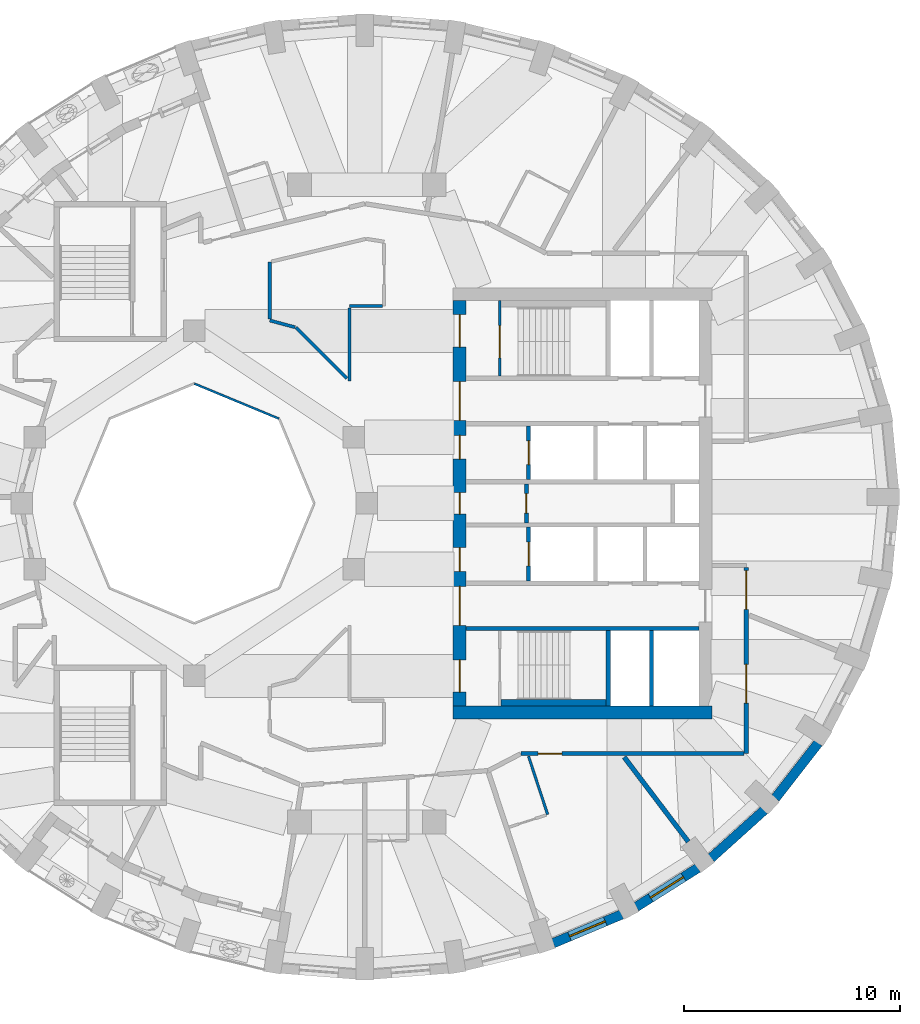
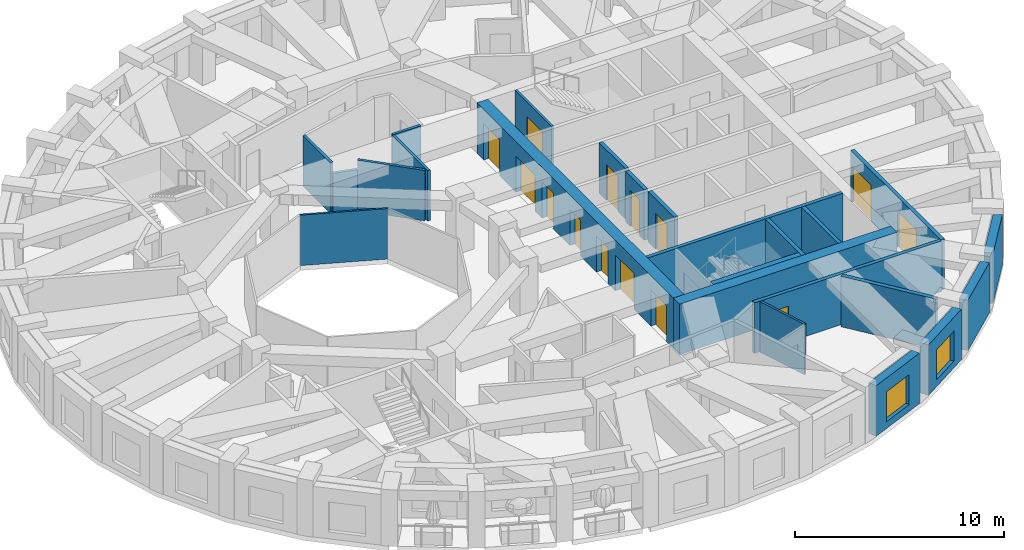
# One storey, part 5 of 12: 24 walls, 14 doors, 2 windows, 16 openings.
"""IFC4 building model written with IfcOpenShell, lengths in metres."""

from ifc_helpers import new_model, si_unit, direction, frame, frame_2d, origin, place, context, subcontext, project, spatial, rectangle, extrude, material, layer, layer_set, type_object, element, fill, save


model = new_model("IFC4")

# Units and contexts
model_context = context("Model", 3, precision=1e-05, world=origin(), true_north=direction((0.0, 1.0)))
body_context = subcontext(model_context, "Body", "Model", "MODEL_VIEW")
ifc_project = project(units=[si_unit("LENGTHUNIT", "METRE"), si_unit("AREAUNIT", "SQUARE_METRE"), si_unit("VOLUMEUNIT", "CUBIC_METRE"), si_unit("PLANEANGLEUNIT", "RADIAN"), si_unit("MASSUNIT", "GRAM", prefix="KILO")], contexts=[model_context])

# Site, building, storey
site_placement = place(None, origin())
site = spatial("IfcSite", under=ifc_project, at=site_placement, CompositionType="ELEMENT")
building_placement = place(site_placement, origin())
building = spatial("IfcBuilding", under=site, at=building_placement, Name="Taillehof Tower", CompositionType="ELEMENT")
storey_placement = place(building_placement, frame((0.0, 0.0, 256.39990234375)))
storey = spatial("IfcBuildingStorey", under=building, at=storey_placement, Name="L73", CompositionType="ELEMENT", Elevation=256.39990234375)

# Wall
ifc_material_1 = material(Name="Fire-resisting glass in steel frame", Category="steel")
ifc_layer_1 = layer(ifc_material_1, 0.10009765625)
ifc_layer_set_1 = layer_set([ifc_layer_1], Name="Atrium fire-resisting screen EI 60 100")
wall_type_1 = type_object("IfcWallType", Name="Atrium fire-resisting screen EI 60 100", PredefinedType="PARTITIONING", material=ifc_layer_set_1)
wall_1_placement = place(storey_placement, frame((-8.0, 5.55419921875, 0.0), z_axis=(0.0, 0.0, 1.0), x_axis=(0.923860025149, -0.382730523909, 0.0)))
element("IfcWall", 1, at=wall_1_placement, inside=storey, type_object=wall_type_1, Name="Atrium screen", PredefinedType="PARTITIONING", context=body_context, shape_type="SweptSolid", body=[
    extrude(rectangle(XDim=4.2509765625, YDim=0.10009765625, at=frame_2d((2.12548828125, 0.0))), origin(), (0.0, 0.0, 1.0), 2.9501953125),
])

# Wall, opening, window
ifc_material_2 = material(Name="Brick masonry", Category="masonry")
ifc_layer_2 = layer(ifc_material_2, 0.449951171875)
ifc_layer_set_2 = layer_set([ifc_layer_2], Name="Brick infill wall 450")
wall_type_2 = type_object("IfcWallType", Name="Brick infill wall 450", PredefinedType="SOLIDWALL", material=ifc_layer_set_2)
wall_2_placement = place(storey_placement, frame((8.640869140625, -20.394775390625, 0.0), z_axis=(0.0, 0.0, 1.0), x_axis=(0.922049934692, 0.3870709469, 0.0)))
wall_2 = element("IfcWall", 2, at=wall_2_placement, inside=storey, type_object=wall_type_2, Name="Brick wall L73 bay 30", PredefinedType="SOLIDWALL", context=body_context, shape_type="SweptSolid", body=[
    extrude(rectangle(XDim=3.443115234375, YDim=0.449951171875, at=frame_2d((1.7216796875, 0.0))), origin(), (0.0, 0.0, 1.0), 2.9501953125),
])
opening_1_placement = place(wall_2_placement, frame((0.82177734375, 0.0, 0.39990234375)))
opening_1 = element("IfcOpeningElement", 3, at=opening_1_placement, cuts=wall_2, Name="Opening W4", PredefinedType="OPENING", context=body_context, shape_type="SweptSolid", body=[
    extrude(rectangle(XDim=1.800048828125, YDim=1.75, at=frame_2d((0.89990234375, 0.875))), frame((0.0, 0.23486328125, 0.0), z_axis=(0.0, -1.0, 0.0), x_axis=(1.0, 0.0, 0.0)), (0.0, 0.0, 1.0), 0.469970703125),
])
ifc_material_3 = material(Name="Aluminium window frame with clear double glazing", Category="aluminium")
window_type = type_object("IfcWindowType", Name="Deep-set window 1800x1750", PartitioningType="SINGLE_PANEL", PredefinedType="WINDOW", material=ifc_material_3)
window_1_placement = place(opening_1_placement, origin())
window_1 = element("IfcWindow", 4, at=window_1_placement, inside=storey, type_object=window_type, Name="W4", OverallHeight=1.75, OverallWidth=1.800048828125, PartitioningType="SINGLE_PANEL", PredefinedType="WINDOW", context=body_context, shape_type="SweptSolid", body=[
    extrude(rectangle(XDim=1.800048828125, YDim=1.75, at=frame_2d((0.89990234375, 0.875))), frame((0.0, 0.034912109375, 0.0), z_axis=(0.0, -1.0, 0.0), x_axis=(1.0, 0.0, 0.0)), (0.0, 0.0, 1.0), 0.06005859375),
])
fill(opening_1, window_1)

wall_3_placement = place(storey_placement, frame((12.489990234375, -18.7109375, 0.0), z_axis=(0.0, 0.0, 1.0), x_axis=(0.845929139811, 0.53329531258, 0.0)))
wall_3 = element("IfcWall", 5, at=wall_3_placement, inside=storey, type_object=wall_type_2, Name="Brick wall L73 bay 31", PredefinedType="SOLIDWALL", context=body_context, shape_type="SweptSolid", body=[
    extrude(rectangle(XDim=3.384521484375, YDim=0.449951171875, at=frame_2d((1.6923828125, 0.0))), origin(), (0.0, 0.0, 1.0), 2.9501953125),
])
opening_2_placement = place(wall_3_placement, frame((0.792236328125, 0.0, 0.39990234375)))
opening_2 = element("IfcOpeningElement", 6, at=opening_2_placement, cuts=wall_3, Name="Opening W4", PredefinedType="OPENING", context=body_context, shape_type="SweptSolid", body=[
    extrude(rectangle(XDim=1.800048828125, YDim=1.75, at=frame_2d((0.89990234375, 0.875))), frame((0.0, 0.23486328125, 0.0), z_axis=(0.0, -1.0, 0.0), x_axis=(1.0, 0.0, 0.0)), (0.0, 0.0, 1.0), 0.469970703125),
])
window_2_placement = place(opening_2_placement, origin())
window_2 = element("IfcWindow", 7, at=window_2_placement, inside=storey, type_object=window_type, Name="W4", OverallHeight=1.75, OverallWidth=1.800048828125, PartitioningType="SINGLE_PANEL", PredefinedType="WINDOW", context=body_context, shape_type="SweptSolid", body=[
    extrude(rectangle(XDim=1.800048828125, YDim=1.75, at=frame_2d((0.89990234375, 0.875))), frame((0.0, 0.034912109375, 0.0), z_axis=(0.0, -1.0, 0.0), x_axis=(1.0, 0.0, 0.0)), (0.0, 0.0, 1.0), 0.06005859375),
])
fill(opening_2, window_2)

# Walls
wall_4_placement = place(storey_placement, frame((15.959228515625, -16.447509765625, 0.0), z_axis=(0.0, 0.0, 1.0), x_axis=(0.743166014219, 0.669107073128, 0.0)))
element("IfcWall", 8, at=wall_4_placement, inside=storey, type_object=wall_type_2, Name="Brick wall L73 bay 32", PredefinedType="SOLIDWALL", context=body_context, shape_type="SweptSolid", body=[
    extrude(rectangle(XDim=3.31640625, YDim=0.449951171875, at=frame_2d((1.658203125, 0.0))), origin(), (0.0, 0.0, 1.0), 2.9501953125),
])
wall_5_placement = place(storey_placement, frame((18.941650390625, -13.671875, 0.0), z_axis=(0.0, 0.0, 1.0), x_axis=(0.613898970825, 0.789384604372, 0.0)))
element("IfcWall", 9, at=wall_5_placement, inside=storey, type_object=wall_type_2, Name="Brick wall L73 bay 33", PredefinedType="SOLIDWALL", context=body_context, shape_type="SweptSolid", body=[
    extrude(rectangle(XDim=3.2470703125, YDim=0.449951171875, at=frame_2d((1.62353515625, 0.0))), origin(), (0.0, 0.0, 1.0), 2.9501953125),
])

# Wall, opening, door
ifc_material_4 = material(Name="Calcium silicate masonry", Category="masonry")
ifc_layer_3 = layer(ifc_material_4, 0.199951171875)
ifc_layer_set_3 = layer_set([ifc_layer_3], Name="Compartment wall calcium silicate 200")
wall_type_3 = type_object("IfcWallType", Name="Compartment wall calcium silicate 200", PredefinedType="PARTITIONING", material=ifc_layer_set_3)
wall_6_placement = place(storey_placement, frame((7.39990234375, -0.89990234375, 0.0), z_axis=(0.0, 0.0, 1.0), x_axis=(0.0, 1.0, 0.0)))
wall_6 = element("IfcWall", 10, at=wall_6_placement, inside=storey, type_object=wall_type_3, Name="Compartment wall FW", PredefinedType="PARTITIONING", context=body_context, shape_type="SweptSolid", body=[
    extrude(rectangle(XDim=1.7998046875, YDim=0.199951171875, at=frame_2d((0.89990234375, 0.0))), origin(), (0.0, 0.0, 1.0), 2.9501953125),
])
opening_3_placement = place(wall_6_placement, frame((0.449951171875, 0.0, 0.0)))
opening_3 = element("IfcOpeningElement", 11, at=opening_3_placement, cuts=wall_6, Name="Opening D7314", PredefinedType="OPENING", context=body_context, shape_type="SweptSolid", body=[
    extrude(rectangle(XDim=0.89990234375, YDim=2.10009765625, at=frame_2d((0.449951171875, 1.050048828125))), frame((0.0, 0.10986328125, 0.0), z_axis=(0.0, -1.0, 0.0), x_axis=(1.0, 0.0, 0.0)), (0.0, 0.0, 1.0), 0.219970703125),
])
ifc_material_5 = material(Name="Steel-faced fire door", Category="steel")
door_type_1 = type_object("IfcDoorType", Name="Riser and service room door 900x2100", OperationType="SINGLE_SWING_LEFT", PredefinedType="DOOR", material=ifc_material_5)
door_1_placement = place(opening_3_placement, origin())
door_1 = element("IfcDoor", 12, at=door_1_placement, inside=storey, type_object=door_type_1, Name="Door Bms Room", OperationType="SINGLE_SWING_RIGHT", OverallHeight=2.10009765625, OverallWidth=0.89990234375, PredefinedType="DOOR", context=body_context, shape_type="SweptSolid", body=[
    extrude(rectangle(XDim=0.89990234375, YDim=2.10009765625, at=frame_2d((0.449951171875, 1.050048828125))), frame((0.0, 0.02490234375, 0.0), z_axis=(0.0, -1.0, 0.0), x_axis=(1.0, 0.0, 0.0)), (0.0, 0.0, 1.0), 0.050048828125),
])
fill(opening_3, door_1)

# Wall, openings, doors
ifc_material_6 = material(Name="Gypsum board on steel studs, two layers each side", Category="steel")
ifc_layer_4 = layer(ifc_material_6, 0.199951171875)
ifc_layer_set_4 = layer_set([ifc_layer_4], Name="Compartment wall corridor 200")
wall_type_4 = type_object("IfcWallType", Name="Compartment wall corridor 200", PredefinedType="PARTITIONING", material=ifc_layer_set_4)
wall_7_placement = place(storey_placement, frame((17.60009765625, -2.977294921875, 0.0), z_axis=(0.0, 0.0, 1.0), x_axis=(0.0, -1.0, 0.0)))
wall_7 = element("IfcWall", 13, at=wall_7_placement, inside=storey, type_object=wall_type_4, Name="Compartment wall", PredefinedType="PARTITIONING", context=body_context, shape_type="SweptSolid", body=[
    extrude(rectangle(XDim=8.622802734375, YDim=0.199951171875, at=frame_2d((4.3115234375, 0.0))), origin(), (0.0, 0.0, 1.0), 2.9501953125),
])
opening_4_placement = place(wall_7_placement, frame((4.482666015625, 0.0, 0.0)))
opening_4 = element("IfcOpeningElement", 14, at=opening_4_placement, cuts=wall_7, Name="Opening D7356", PredefinedType="OPENING", context=body_context, shape_type="SweptSolid", body=[
    extrude(rectangle(XDim=1.800048828125, YDim=2.10009765625, at=frame_2d((0.89990234375, 1.050048828125))), frame((0.0, 0.10986328125, 0.0), z_axis=(0.0, -1.0, 0.0), x_axis=(1.0, 0.0, 0.0)), (0.0, 0.0, 1.0), 0.219970703125),
])
opening_5_placement = place(wall_7_placement, frame((0.139892578125, 0.0, 0.0)))
opening_5 = element("IfcOpeningElement", 15, at=opening_5_placement, cuts=wall_7, Name="Opening D7357", PredefinedType="OPENING", context=body_context, shape_type="SweptSolid", body=[
    extrude(rectangle(XDim=1.800048828125, YDim=2.10009765625, at=frame_2d((0.89990234375, 1.050048828125))), frame((0.0, 0.10986328125, 0.0), z_axis=(0.0, -1.0, 0.0), x_axis=(1.0, 0.0, 0.0)), (0.0, 0.0, 1.0), 0.219970703125),
])
ifc_material_7 = material(Name="Timber door leaf in steel frame", Category="steel")
door_type_2 = type_object("IfcDoorType", Name="Lounge and meeting room double door EI 30 1800 x 2100", OperationType="SINGLE_SWING_LEFT", PredefinedType="DOOR", material=ifc_material_7)
door_2_placement = place(opening_4_placement, origin())
door_2 = element("IfcDoor", 16, at=door_2_placement, inside=storey, type_object=door_type_2, Name="D7356", OperationType="DOUBLE_DOOR_SINGLE_SWING", OverallHeight=2.10009765625, OverallWidth=1.800048828125, PredefinedType="DOOR", context=body_context, shape_type="SweptSolid", body=[
    extrude(rectangle(XDim=1.800048828125, YDim=2.10009765625, at=frame_2d((0.89990234375, 1.050048828125))), frame((0.0, 0.02490234375, 0.0), z_axis=(0.0, -1.0, 0.0), x_axis=(1.0, 0.0, 0.0)), (0.0, 0.0, 1.0), 0.050048828125),
])
fill(opening_4, door_2)
door_3_placement = place(opening_5_placement, origin())
door_3 = element("IfcDoor", 17, at=door_3_placement, inside=storey, type_object=door_type_2, Name="D7357", OperationType="DOUBLE_DOOR_SINGLE_SWING", OverallHeight=2.10009765625, OverallWidth=1.800048828125, PredefinedType="DOOR", context=body_context, shape_type="SweptSolid", body=[
    extrude(rectangle(XDim=1.800048828125, YDim=2.10009765625, at=frame_2d((0.89990234375, 1.050048828125))), frame((0.0, 0.02490234375, 0.0), z_axis=(0.0, -1.0, 0.0), x_axis=(1.0, 0.0, 0.0)), (0.0, 0.0, 1.0), 0.050048828125),
])
fill(opening_5, door_3)

# Wall, opening, door
wall_8_placement = place(storey_placement, frame((17.5, -11.60009765625, 0.0), z_axis=(0.0, 0.0, 1.0), x_axis=(-1.0, 0.0, 0.0)))
wall_8 = element("IfcWall", 18, at=wall_8_placement, inside=storey, type_object=wall_type_4, Name="Compartment wall", PredefinedType="PARTITIONING", context=body_context, shape_type="SweptSolid", body=[
    extrude(rectangle(XDim=10.347900390625, YDim=0.199951171875, at=frame_2d((5.173828125, 0.0))), origin(), (0.0, 0.0, 1.0), 2.9501953125),
])
opening_6_placement = place(wall_8_placement, frame((8.461669921875, 0.0, 0.0)))
opening_6 = element("IfcOpeningElement", 19, at=opening_6_placement, cuts=wall_8, Name="Opening D7354", PredefinedType="OPENING", context=body_context, shape_type="SweptSolid", body=[
    extrude(rectangle(XDim=1.10009765625, YDim=2.10009765625, at=frame_2d((0.550048828125, 1.050048828125))), frame((0.0, 0.10986328125, 0.0), z_axis=(0.0, -1.0, 0.0), x_axis=(1.0, 0.0, 0.0)), (0.0, 0.0, 1.0), 0.219970703125),
])
ifc_material_8 = material(Name="Timber door leaf in steel frame", Category="steel")
door_type_3 = type_object("IfcDoorType", Name="Suite entrance door EI 30 1100 x 2100", OperationType="SINGLE_SWING_LEFT", PredefinedType="DOOR", material=ifc_material_8)
door_4_placement = place(opening_6_placement, origin())
door_4 = element("IfcDoor", 20, at=door_4_placement, inside=storey, type_object=door_type_3, Name="D7354", OperationType="SINGLE_SWING_RIGHT", OverallHeight=2.10009765625, OverallWidth=1.10009765625, PredefinedType="DOOR", context=body_context, shape_type="SweptSolid", body=[
    extrude(rectangle(XDim=1.10009765625, YDim=2.10009765625, at=frame_2d((0.550048828125, 1.050048828125))), frame((0.0, 0.02490234375, 0.0), z_axis=(0.0, -1.0, 0.0), x_axis=(1.0, 0.0, 0.0)), (0.0, 0.0, 1.0), 0.050048828125),
])
fill(opening_6, door_4)

# Walls
ifc_material_9 = material(Name="Gypsum board on double steel studs with mineral wool", Category="steel")
ifc_layer_5 = layer(ifc_material_9, 0.219970703125)
ifc_layer_set_5 = layer_set([ifc_layer_5], Name="Compartment wall guest room 220")
wall_type_5 = type_object("IfcWallType", Name="Compartment wall guest room 220", PredefinedType="PARTITIONING", material=ifc_layer_set_5)
wall_9_placement = place(storey_placement, frame((14.906005859375, -15.687255859375, 0.0), z_axis=(0.0, 0.0, 1.0), x_axis=(-0.604078206052, 0.796925041, 0.0)))
element("IfcWall", 21, at=wall_9_placement, inside=storey, type_object=wall_type_5, Name="Compartment wall", PredefinedType="PARTITIONING", context=body_context, shape_type="SweptSolid", body=[
    extrude(rectangle(XDim=4.92333984375, YDim=0.219970703125, at=frame_2d((2.461669921875, 0.0))), origin(), (0.0, 0.0, 1.0), 2.9501953125),
])
ifc_material_10 = material(Name="Calcium silicate masonry", Category="masonry")
ifc_layer_6 = layer(ifc_material_10, 0.300048828125)
ifc_layer_set_6 = layer_set([ifc_layer_6], Name="Compartment wall lining calcium silicate 300")
wall_type_6 = type_object("IfcWallType", Name="Compartment wall lining calcium silicate 300", PredefinedType="PARTITIONING", material=ifc_layer_set_6)
wall_10_placement = place(storey_placement, frame((6.219970703125, -9.25, 0.0), z_axis=(0.0, 0.0, 1.0), x_axis=(1.0, 0.0, 0.0)))
element("IfcWall", 22, at=wall_10_placement, inside=storey, type_object=wall_type_6, Name="Compartment wall FW", PredefinedType="PARTITIONING", context=body_context, shape_type="SweptSolid", body=[
    extrude(rectangle(XDim=4.880126953125, YDim=0.300048828125, at=frame_2d((2.43994140625, 0.0))), origin(), (0.0, 0.0, 1.0), 2.9501953125),
])
ifc_material_11 = material(Name="Gypsum board on steel studs, two layers each side", Category="steel")
ifc_layer_7 = layer(ifc_material_11, 0.14990234375)
ifc_layer_set_7 = layer_set([ifc_layer_7], Name="Compartment wall service room 150")
wall_type_7 = type_object("IfcWallType", Name="Compartment wall service room 150", PredefinedType="PARTITIONING", material=ifc_layer_set_7)
wall_11_placement = place(storey_placement, frame((0.719970703125, 9.14990234375, 0.0), z_axis=(0.0, 0.0, 1.0), x_axis=(-1.0, 0.0, 0.0)))
element("IfcWall", 23, at=wall_11_placement, inside=storey, type_object=wall_type_7, Name="Compartment wall", PredefinedType="PARTITIONING", context=body_context, shape_type="SweptSolid", body=[
    extrude(rectangle(XDim=1.52001953125, YDim=0.14990234375, at=frame_2d((0.760009765625, 0.0))), origin(), (0.0, 0.0, 1.0), 2.9501953125),
])
wall_12_placement = place(storey_placement, frame((-0.800048828125, 9.06982421875, 0.0), z_axis=(0.0, 0.0, 1.0), x_axis=(0.0, -1.0, 0.0)))
element("IfcWall", 24, at=wall_12_placement, inside=storey, type_object=wall_type_7, Name="Compartment wall", PredefinedType="PARTITIONING", context=body_context, shape_type="SweptSolid", body=[
    extrude(rectangle(XDim=3.400390625, YDim=0.14990234375, at=frame_2d((1.7001953125, 0.0))), origin(), (0.0, 0.0, 1.0), 2.9501953125),
])
wall_13_placement = place(storey_placement, frame((-0.927490234375, 5.796875, 0.0), z_axis=(0.0, 0.0, 1.0), x_axis=(-0.707106781187, 0.707106781187, 0.0)))
element("IfcWall", 25, at=wall_13_placement, inside=storey, type_object=wall_type_7, Name="Compartment wall", PredefinedType="PARTITIONING", context=body_context, shape_type="SweptSolid", body=[
    extrude(rectangle(XDim=3.340576171875, YDim=0.14990234375, at=frame_2d((1.67041015625, 0.0))), origin(), (0.0, 0.0, 1.0), 2.9501953125),
])
wall_14_placement = place(storey_placement, frame((-3.328125, 8.169189453125, 0.0), z_axis=(0.0, 0.0, 1.0), x_axis=(-0.965933680277, 0.258789731841, 0.0)))
element("IfcWall", 26, at=wall_14_placement, inside=storey, type_object=wall_type_7, Name="Compartment wall", PredefinedType="PARTITIONING", context=body_context, shape_type="SweptSolid", body=[
    extrude(rectangle(XDim=1.213134765625, YDim=0.14990234375, at=frame_2d((0.6064453125, 0.0))), origin(), (0.0, 0.0, 1.0), 2.400146484375),
])
wall_15_placement = place(storey_placement, frame((-4.5, 8.563232421875, 0.0), z_axis=(0.0, 0.0, 1.0), x_axis=(0.0, 1.0, 0.0)))
element("IfcWall", 27, at=wall_15_placement, inside=storey, type_object=wall_type_7, Name="Compartment wall", PredefinedType="PARTITIONING", context=body_context, shape_type="SweptSolid", body=[
    extrude(rectangle(XDim=2.6328125, YDim=0.14990234375, at=frame_2d((1.31640625, 0.0))), origin(), (0.0, 0.0, 1.0), 2.9501953125),
])

# Wall, openings, doors
ifc_material_12 = material(Name="Concrete C80/95", Category="concrete")
ifc_layer_8 = layer(ifc_material_12, 0.60009765625)
ifc_layer_set_8 = layer_set([ifc_layer_8], Name="Core wall C80/95 600")
wall_type_8 = type_object("IfcWallType", Name="Core wall C80/95 600", PredefinedType="SHEAR", material=ifc_layer_set_8)
wall_16_placement = place(storey_placement, frame((4.300048828125, -9.39990234375, 0.0), z_axis=(0.0, 0.0, 1.0), x_axis=(0.0, 1.0, 0.0)))
wall_16 = element("IfcWall", 28, at=wall_16_placement, inside=storey, type_object=wall_type_8, Name="Core wall CW01", PredefinedType="SHEAR", context=body_context, shape_type="SweptSolid", body=[
    extrude(rectangle(XDim=18.7998046875, YDim=0.60009765625, at=frame_2d((9.39990234375, 0.0))), origin(), (0.0, 0.0, 1.0), 2.9501953125),
])
opening_7_placement = place(wall_16_placement, frame((0.64990234375, 0.0, 0.0)))
opening_7 = element("IfcOpeningElement", 29, at=opening_7_placement, cuts=wall_16, Name="Opening D7301", PredefinedType="OPENING", context=body_context, shape_type="SweptSolid", body=[
    extrude(rectangle(XDim=1.5, YDim=2.10009765625, at=frame_2d((0.75, 1.050048828125))), frame((0.0, 0.31005859375, 0.0), z_axis=(0.0, -1.0, 0.0), x_axis=(1.0, 0.0, 0.0)), (0.0, 0.0, 1.0), 0.6201171875),
])
opening_8_placement = place(wall_16_placement, frame((3.75, 0.0, 0.0)))
opening_8 = element("IfcOpeningElement", 30, at=opening_8_placement, cuts=wall_16, Name="Opening D7302", PredefinedType="OPENING", context=body_context, shape_type="SweptSolid", body=[
    extrude(rectangle(XDim=1.800048828125, YDim=2.10009765625, at=frame_2d((0.89990234375, 1.050048828125))), frame((0.0, 0.31005859375, 0.0), z_axis=(0.0, -1.0, 0.0), x_axis=(1.0, 0.0, 0.0)), (0.0, 0.0, 1.0), 0.6201171875),
])
opening_9_placement = place(wall_16_placement, frame((6.25, 0.0, 0.0)))
opening_9 = element("IfcOpeningElement", 31, at=opening_9_placement, cuts=wall_16, Name="Opening D7303", PredefinedType="OPENING", context=body_context, shape_type="SweptSolid", body=[
    extrude(rectangle(XDim=1.10009765625, YDim=2.10009765625, at=frame_2d((0.550048828125, 1.050048828125))), frame((0.0, 0.31005859375, 0.0), z_axis=(0.0, -1.0, 0.0), x_axis=(1.0, 0.0, 0.0)), (0.0, 0.0, 1.0), 0.6201171875),
])
opening_10_placement = place(wall_16_placement, frame((8.89990234375, 0.0, 0.0)))
opening_10 = element("IfcOpeningElement", 32, at=opening_10_placement, cuts=wall_16, Name="Opening D7304", PredefinedType="OPENING", context=body_context, shape_type="SweptSolid", body=[
    extrude(rectangle(XDim=1.0, YDim=2.10009765625, at=frame_2d((0.5, 1.050048828125))), frame((0.0, 0.31005859375, 0.0), z_axis=(0.0, -1.0, 0.0), x_axis=(1.0, 0.0, 0.0)), (0.0, 0.0, 1.0), 0.6201171875),
])
opening_11_placement = place(wall_16_placement, frame((11.449951171875, 0.0, 0.0)))
opening_11 = element("IfcOpeningElement", 33, at=opening_11_placement, cuts=wall_16, Name="Opening D7305", PredefinedType="OPENING", context=body_context, shape_type="SweptSolid", body=[
    extrude(rectangle(XDim=1.10009765625, YDim=2.10009765625, at=frame_2d((0.550048828125, 1.050048828125))), frame((0.0, 0.31005859375, 0.0), z_axis=(0.0, -1.0, 0.0), x_axis=(1.0, 0.0, 0.0)), (0.0, 0.0, 1.0), 0.6201171875),
])
opening_12_placement = place(wall_16_placement, frame((13.25, 0.0, 0.0)))
opening_12 = element("IfcOpeningElement", 34, at=opening_12_placement, cuts=wall_16, Name="Opening D7306", PredefinedType="OPENING", context=body_context, shape_type="SweptSolid", body=[
    extrude(rectangle(XDim=1.800048828125, YDim=2.10009765625, at=frame_2d((0.89990234375, 1.050048828125))), frame((0.0, 0.31005859375, 0.0), z_axis=(0.0, -1.0, 0.0), x_axis=(1.0, 0.0, 0.0)), (0.0, 0.0, 1.0), 0.6201171875),
])
opening_13_placement = place(wall_16_placement, frame((16.64990234375, 0.0, 0.0)))
opening_13 = element("IfcOpeningElement", 35, at=opening_13_placement, cuts=wall_16, Name="Opening D7307", PredefinedType="OPENING", context=body_context, shape_type="SweptSolid", body=[
    extrude(rectangle(XDim=1.5, YDim=2.10009765625, at=frame_2d((0.75, 1.050048828125))), frame((0.0, 0.31005859375, 0.0), z_axis=(0.0, -1.0, 0.0), x_axis=(1.0, 0.0, 0.0)), (0.0, 0.0, 1.0), 0.6201171875),
])
ifc_material_13 = material(Name="Steel-faced fire door", Category="steel")
door_type_4 = type_object("IfcDoorType", Name="Firefighting lobby door 1100x2100", OperationType="SINGLE_SWING_RIGHT", PredefinedType="DOOR", material=ifc_material_13)
door_5_placement = place(opening_9_placement, origin())
door_5 = element("IfcDoor", 36, at=door_5_placement, inside=storey, type_object=door_type_4, Name="Firefighting lobby door FFL-S", OperationType="SINGLE_SWING_RIGHT", OverallHeight=2.10009765625, OverallWidth=1.10009765625, PredefinedType="DOOR", context=body_context, shape_type="SweptSolid", body=[
    extrude(rectangle(XDim=1.10009765625, YDim=2.10009765625, at=frame_2d((0.550048828125, 1.050048828125))), frame((0.0, 0.02490234375, 0.0), z_axis=(0.0, -1.0, 0.0), x_axis=(1.0, 0.0, 0.0)), (0.0, 0.0, 1.0), 0.050048828125),
])
fill(opening_9, door_5)
door_6_placement = place(opening_11_placement, origin())
door_6 = element("IfcDoor", 37, at=door_6_placement, inside=storey, type_object=door_type_4, Name="Firefighting lobby door FFL-N", OperationType="SINGLE_SWING_LEFT", OverallHeight=2.10009765625, OverallWidth=1.10009765625, PredefinedType="DOOR", context=body_context, shape_type="SweptSolid", body=[
    extrude(rectangle(XDim=1.10009765625, YDim=2.10009765625, at=frame_2d((0.550048828125, 1.050048828125))), frame((0.0, 0.02490234375, 0.0), z_axis=(0.0, -1.0, 0.0), x_axis=(1.0, 0.0, 0.0)), (0.0, 0.0, 1.0), 0.050048828125),
])
fill(opening_11, door_6)
ifc_material_14 = material(Name="Steel-faced fire door", Category="steel")
door_type_5 = type_object("IfcDoorType", Name="Lift lobby door 1800x2100", OperationType="DOUBLE_DOOR_SINGLE_SWING", PredefinedType="DOOR", material=ifc_material_14)
door_7_placement = place(opening_8_placement, origin())
door_7 = element("IfcDoor", 38, at=door_7_placement, inside=storey, type_object=door_type_5, Name="Lift lobby door LL-S", OperationType="DOUBLE_DOOR_SINGLE_SWING", OverallHeight=2.10009765625, OverallWidth=1.800048828125, PredefinedType="DOOR", context=body_context, shape_type="SweptSolid", body=[
    extrude(rectangle(XDim=1.800048828125, YDim=2.10009765625, at=frame_2d((0.89990234375, 1.050048828125))), frame((0.0, 0.02490234375, 0.0), z_axis=(0.0, -1.0, 0.0), x_axis=(1.0, 0.0, 0.0)), (0.0, 0.0, 1.0), 0.050048828125),
])
fill(opening_8, door_7)
door_8_placement = place(opening_12_placement, origin())
door_8 = element("IfcDoor", 39, at=door_8_placement, inside=storey, type_object=door_type_5, Name="Lift lobby door LL-N", OperationType="DOUBLE_DOOR_SINGLE_SWING", OverallHeight=2.10009765625, OverallWidth=1.800048828125, PredefinedType="DOOR", context=body_context, shape_type="SweptSolid", body=[
    extrude(rectangle(XDim=1.800048828125, YDim=2.10009765625, at=frame_2d((0.89990234375, 1.050048828125))), frame((0.0, 0.02490234375, 0.0), z_axis=(0.0, -1.0, 0.0), x_axis=(1.0, 0.0, 0.0)), (0.0, 0.0, 1.0), 0.050048828125),
])
fill(opening_12, door_8)
ifc_material_15 = material(Name="Steel-faced fire door", Category="steel")
door_type_6 = type_object("IfcDoorType", Name="Service door 1000x2100", OperationType="SINGLE_SWING_RIGHT", PredefinedType="DOOR", material=ifc_material_15)
door_9_placement = place(opening_10_placement, origin())
door_9 = element("IfcDoor", 40, at=door_9_placement, inside=storey, type_object=door_type_6, Name="Service door SV", OperationType="SINGLE_SWING_RIGHT", OverallHeight=2.10009765625, OverallWidth=1.0, PredefinedType="DOOR", context=body_context, shape_type="SweptSolid", body=[
    extrude(rectangle(XDim=1.0, YDim=2.10009765625, at=frame_2d((0.5, 1.050048828125))), frame((0.0, 0.02490234375, 0.0), z_axis=(0.0, -1.0, 0.0), x_axis=(1.0, 0.0, 0.0)), (0.0, 0.0, 1.0), 0.050048828125),
])
fill(opening_10, door_9)
ifc_material_16 = material(Name="Steel-faced fire door", Category="steel")
door_type_7 = type_object("IfcDoorType", Name="Stair door 1500x2100", OperationType="DOUBLE_DOOR_SINGLE_SWING", PredefinedType="DOOR", material=ifc_material_16)
door_10_placement = place(opening_7_placement, origin())
door_10 = element("IfcDoor", 41, at=door_10_placement, inside=storey, type_object=door_type_7, Name="Stair door S2", OperationType="DOUBLE_DOOR_SINGLE_SWING", OverallHeight=2.10009765625, OverallWidth=1.5, PredefinedType="DOOR", context=body_context, shape_type="SweptSolid", body=[
    extrude(rectangle(XDim=1.5, YDim=2.10009765625, at=frame_2d((0.75, 1.050048828125))), frame((0.0, 0.02490234375, 0.0), z_axis=(0.0, -1.0, 0.0), x_axis=(1.0, 0.0, 0.0)), (0.0, 0.0, 1.0), 0.050048828125),
])
fill(opening_7, door_10)
door_11_placement = place(opening_13_placement, origin())
door_11 = element("IfcDoor", 42, at=door_11_placement, inside=storey, type_object=door_type_7, Name="Stair door S1", OperationType="DOUBLE_DOOR_SINGLE_SWING", OverallHeight=2.10009765625, OverallWidth=1.5, PredefinedType="DOOR", context=body_context, shape_type="SweptSolid", body=[
    extrude(rectangle(XDim=1.5, YDim=2.10009765625, at=frame_2d((0.75, 1.050048828125))), frame((0.0, 0.02490234375, 0.0), z_axis=(0.0, -1.0, 0.0), x_axis=(1.0, 0.0, 0.0)), (0.0, 0.0, 1.0), 0.050048828125),
])
fill(opening_13, door_11)

# Walls
wall_17_placement = place(storey_placement, frame((4.0, -9.699951171875, 0.0), z_axis=(0.0, 0.0, 1.0), x_axis=(1.0, 0.0, 0.0)))
element("IfcWall", 43, at=wall_17_placement, inside=storey, type_object=wall_type_8, Name="Core wall CW07", PredefinedType="SHEAR", context=body_context, shape_type="SweptSolid", body=[
    extrude(rectangle(XDim=12.0, YDim=0.60009765625, at=frame_2d((6.0, 0.0))), origin(), (0.0, 0.0, 1.0), 2.9501953125),
])
ifc_material_17 = material(Name="Gypsum board on steel studs, moisture resistant", Category="steel")
ifc_layer_9 = layer(ifc_material_17, 0.1201171875)
ifc_layer_set_9 = layer_set([ifc_layer_9], Name="En-suite wall 120")
wall_type_9 = type_object("IfcWallType", Name="En-suite wall 120", PredefinedType="PARTITIONING", material=ifc_layer_set_9)
wall_18_placement = place(storey_placement, frame((7.494140625, -11.71923828125, 0.0), z_axis=(0.0, 0.0, 1.0), x_axis=(0.312267061004, -0.949994359253, 0.0)))
element("IfcWall", 44, at=wall_18_placement, inside=storey, type_object=wall_type_9, Name="En-suite wall", PredefinedType="PARTITIONING", context=body_context, shape_type="SweptSolid", body=[
    extrude(rectangle(XDim=2.849853515625, YDim=0.1201171875, at=frame_2d((1.4248046875, 0.0))), origin(), (0.0, 0.0, 1.0), 2.9501953125),
])
ifc_material_18 = material(Name="Concrete C50/60", Category="concrete")
ifc_layer_10 = layer(ifc_material_18, 0.199951171875)
ifc_layer_set_10 = layer_set([ifc_layer_10], Name="Shaft wall C50/60 200")
wall_type_10 = type_object("IfcWallType", Name="Shaft wall C50/60 200", PredefinedType="SHEAR", material=ifc_layer_set_10)
wall_19_placement = place(storey_placement, frame((4.60009765625, -5.800048828125, 0.0), z_axis=(0.0, 0.0, 1.0), x_axis=(1.0, 0.0, 0.0)))
element("IfcWall", 45, at=wall_19_placement, inside=storey, type_object=wall_type_10, Name="Shaft wall SW", PredefinedType="SHEAR", context=body_context, shape_type="SweptSolid", body=[
    extrude(rectangle(XDim=10.7998046875, YDim=0.199951171875, at=frame_2d((5.39990234375, 0.0))), origin(), (0.0, 0.0, 1.0), 2.9501953125),
])
for number, where, z_axis, x_axis, name in (
    (46, (11.199951171875, -9.39990234375, 0.0), (0.0, 0.0, 1.0), (0.0, 1.0, 0.0), "Shaft wall SW"),
    (47, (13.199951171875, -9.39990234375, 0.0), (0.0, 0.0, 1.0), (0.0, 1.0, 0.0), "Shaft wall SW"),
):
    element("IfcWall", number, at=place(storey_placement, frame(where, z_axis=z_axis, x_axis=x_axis)), inside=storey, type_object=wall_type_10, Name=name, PredefinedType="SHEAR", context=body_context, shape_type="SweptSolid", body=[
        extrude(rectangle(XDim=3.5, YDim=0.199951171875, at=frame_2d((1.75, 0.0))), origin(), (0.0, 0.0, 1.0), 2.9501953125),
    ])

# Wall, opening, door
wall_20_placement = place(storey_placement, frame((7.5, 1.10009765625, 0.0), z_axis=(0.0, 0.0, 1.0), x_axis=(0.0, 1.0, 0.0)))
wall_20 = element("IfcWall", 48, at=wall_20_placement, inside=storey, type_object=wall_type_10, Name="Shaft wall SW", PredefinedType="SHEAR", context=body_context, shape_type="SweptSolid", body=[
    extrude(rectangle(XDim=2.5, YDim=0.199951171875, at=frame_2d((1.25, 0.0))), origin(), (0.0, 0.0, 1.0), 2.9501953125),
])
opening_14_placement = place(wall_20_placement, frame((0.699951171875, 0.0, 0.0)))
opening_14 = element("IfcOpeningElement", 49, at=opening_14_placement, cuts=wall_20, Name="Opening LD1", PredefinedType="OPENING", context=body_context, shape_type="SweptSolid", body=[
    extrude(rectangle(XDim=1.10009765625, YDim=2.10009765625, at=frame_2d((0.550048828125, 1.050048828125))), frame((0.0, 0.10986328125, 0.0), z_axis=(0.0, -1.0, 0.0), x_axis=(1.0, 0.0, 0.0)), (0.0, 0.0, 1.0), 0.219970703125),
])
ifc_material_19 = material(Name="Stainless steel", Category="steel")
door_type_8 = type_object("IfcDoorType", Name="Lift landing door LD1 1100x2100", OperationType="DOUBLE_DOOR_SLIDING", PredefinedType="DOOR", material=ifc_material_19)
door_12_placement = place(opening_14_placement, origin())
door_12 = element("IfcDoor", 50, at=door_12_placement, inside=storey, type_object=door_type_8, Name="Landing door FF1", OperationType="DOUBLE_DOOR_SLIDING", OverallHeight=2.10009765625, OverallWidth=1.10009765625, PredefinedType="DOOR", context=body_context, shape_type="SweptSolid", body=[
    extrude(rectangle(XDim=1.10009765625, YDim=2.10009765625, at=frame_2d((0.550048828125, 1.050048828125))), frame((0.0, 0.02490234375, 0.0), z_axis=(0.0, -1.0, 0.0), x_axis=(1.0, 0.0, 0.0)), (0.0, 0.0, 1.0), 0.050048828125),
])
fill(opening_14, door_12)

wall_21_placement = place(storey_placement, frame((7.5, -3.60009765625, 0.0), z_axis=(0.0, 0.0, 1.0), x_axis=(0.0, 1.0, 0.0)))
wall_21 = element("IfcWall", 51, at=wall_21_placement, inside=storey, type_object=wall_type_10, Name="Shaft wall SW", PredefinedType="SHEAR", context=body_context, shape_type="SweptSolid", body=[
    extrude(rectangle(XDim=2.5, YDim=0.199951171875, at=frame_2d((1.25, 0.0))), origin(), (0.0, 0.0, 1.0), 2.9501953125),
])
opening_15_placement = place(wall_21_placement, frame((0.699951171875, 0.0, 0.0)))
opening_15 = element("IfcOpeningElement", 52, at=opening_15_placement, cuts=wall_21, Name="Opening LD1", PredefinedType="OPENING", context=body_context, shape_type="SweptSolid", body=[
    extrude(rectangle(XDim=1.10009765625, YDim=2.10009765625, at=frame_2d((0.550048828125, 1.050048828125))), frame((0.0, 0.10986328125, 0.0), z_axis=(0.0, -1.0, 0.0), x_axis=(1.0, 0.0, 0.0)), (0.0, 0.0, 1.0), 0.219970703125),
])
door_13_placement = place(opening_15_placement, origin())
door_13 = element("IfcDoor", 53, at=door_13_placement, inside=storey, type_object=door_type_8, Name="Landing door FF2", OperationType="DOUBLE_DOOR_SLIDING", OverallHeight=2.10009765625, OverallWidth=1.10009765625, PredefinedType="DOOR", context=body_context, shape_type="SweptSolid", body=[
    extrude(rectangle(XDim=1.10009765625, YDim=2.10009765625, at=frame_2d((0.550048828125, 1.050048828125))), frame((0.0, 0.02490234375, 0.0), z_axis=(0.0, -1.0, 0.0), x_axis=(1.0, 0.0, 0.0)), (0.0, 0.0, 1.0), 0.050048828125),
])
fill(opening_15, door_13)

ifc_material_20 = material(Name="Concrete C50/60", Category="concrete")
ifc_layer_11 = layer(ifc_material_20, 0.1201171875)
ifc_layer_set_11 = layer_set([ifc_layer_11], Name="Stair lobby wall C50/60 120")
wall_type_11 = type_object("IfcWallType", Name="Stair lobby wall C50/60 120", PredefinedType="SHEAR", material=ifc_layer_set_11)
wall_22_placement = place(storey_placement, frame((6.159912109375, 5.89990234375, 0.0), z_axis=(0.0, 0.0, 1.0), x_axis=(0.0, 1.0, 0.0)))
wall_22 = element("IfcWall", 54, at=wall_22_placement, inside=storey, type_object=wall_type_11, Name="Compartment wall SW", PredefinedType="SHEAR", context=body_context, shape_type="SweptSolid", body=[
    extrude(rectangle(XDim=3.5, YDim=0.1201171875, at=frame_2d((1.75, 0.0))), origin(), (0.0, 0.0, 1.0), 2.9501953125),
])
opening_16_placement = place(wall_22_placement, frame((0.85009765625, 0.0, 0.0)))
opening_16 = element("IfcOpeningElement", 55, at=opening_16_placement, cuts=wall_22, Name="Opening D7310", PredefinedType="OPENING", context=body_context, shape_type="SweptSolid", body=[
    extrude(rectangle(XDim=1.5, YDim=2.10009765625, at=frame_2d((0.75, 1.050048828125))), frame((0.0, 0.070068359375, 0.0), z_axis=(0.0, -1.0, 0.0), x_axis=(1.0, 0.0, 0.0)), (0.0, 0.0, 1.0), 0.14013671875),
])
door_14_placement = place(opening_16_placement, origin())
door_14 = element("IfcDoor", 56, at=door_14_placement, inside=storey, type_object=door_type_7, Name="Stair lobby door S1", OperationType="DOUBLE_DOOR_SINGLE_SWING", OverallHeight=2.10009765625, OverallWidth=1.5, PredefinedType="DOOR", context=body_context, shape_type="SweptSolid", body=[
    extrude(rectangle(XDim=1.5, YDim=2.10009765625, at=frame_2d((0.75, 1.050048828125))), frame((0.0, 0.02490234375, 0.0), z_axis=(0.0, -1.0, 0.0), x_axis=(1.0, 0.0, 0.0)), (0.0, 0.0, 1.0), 0.050048828125),
])
fill(opening_16, door_14)

save(model, "model.ifc")
